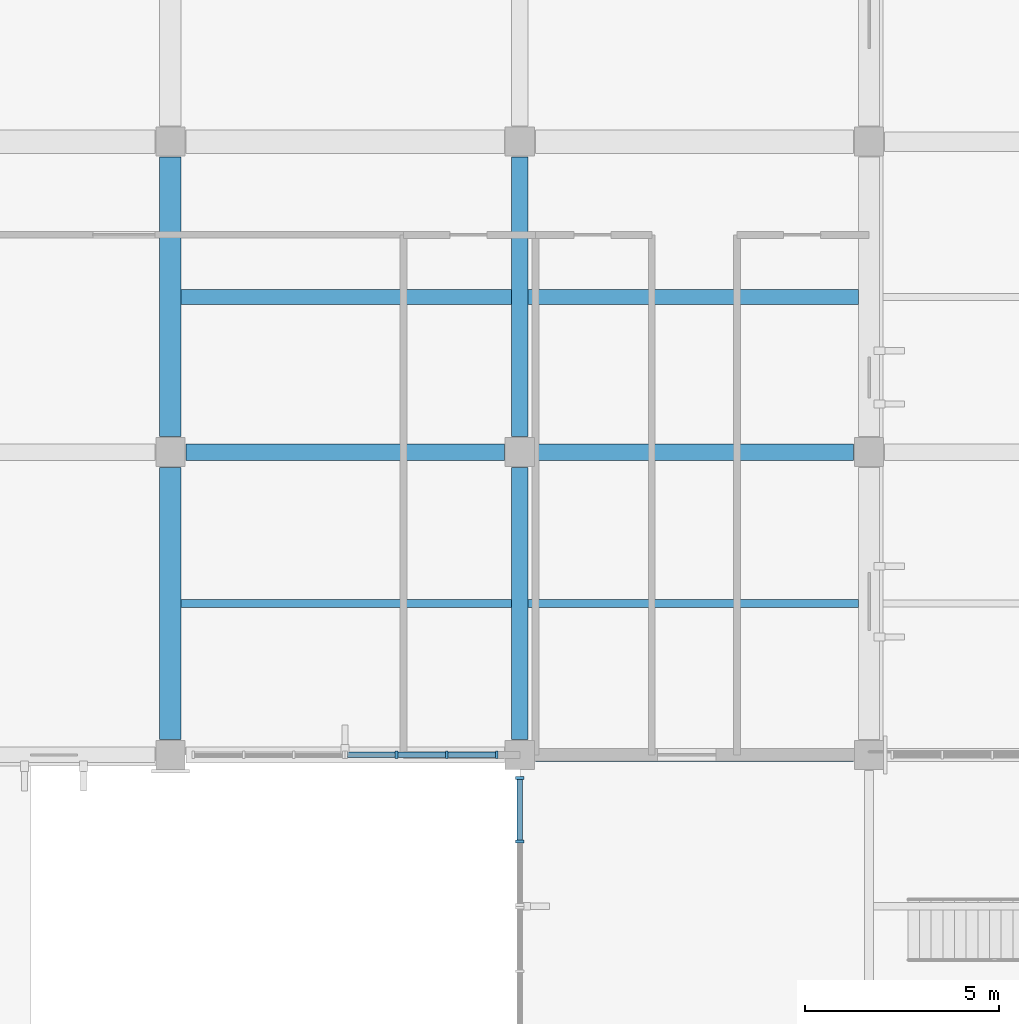
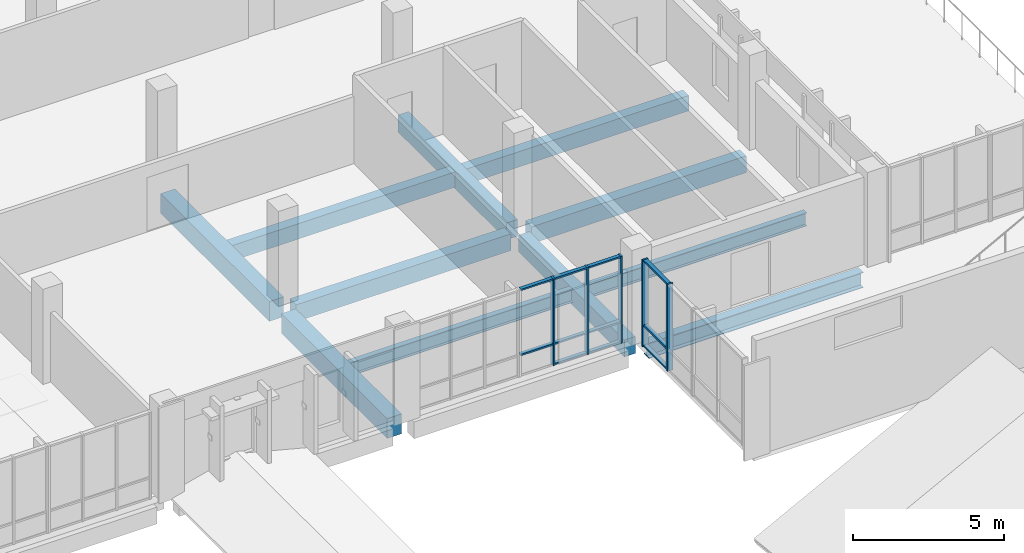
# One storey, part 22 of 64: 16 members, 11 beams, 2 elements without a shape of their own.
"""IFC4 building model written with IfcOpenShell, lengths in metres."""

from ifc_helpers import new_model, si_unit, direction, frame, origin, origin_2d, place, context, subcontext, project, spatial, rectangle, i_section, extrude, material, material_profile, profile_set, type_object, element, aggregate, save


model = new_model("IFC4")

# Units and contexts
model_context = context("Model", 3, precision=1e-05, world=origin(), true_north=direction((0.0, 1.0)))
body_context = subcontext(model_context, "Body", "Model", "MODEL_VIEW")
ifc_project = project(units=[si_unit("LENGTHUNIT", "METRE"), si_unit("AREAUNIT", "SQUARE_METRE"), si_unit("VOLUMEUNIT", "CUBIC_METRE"), si_unit("PLANEANGLEUNIT", "RADIAN"), si_unit("MASSUNIT", "GRAM", prefix="KILO")], contexts=[model_context])

# Site, building, storey
site_placement = place(None, origin())
site = spatial("IfcSite", under=ifc_project, at=site_placement, CompositionType="ELEMENT")
building_placement = place(site_placement, origin())
building = spatial("IfcBuilding", under=site, at=building_placement, Name="Vervanel Yard Central Library", CompositionType="ELEMENT")
storey_placement = place(building_placement, frame((0.0, 0.0, 8.93994140625)))
storey = spatial("IfcBuildingStorey", under=building, at=storey_placement, Name="L02", CompositionType="ELEMENT", Elevation=8.93994140625)

# Beams
ifc_material_1 = material(Name="Concrete C40/50", Category="concrete")
ifc_material_profile_1 = material_profile(ifc_material_1, rectangle(XDim=0.419921875, YDim=0.679931640625, at=origin_2d()), Name="RC 420x680", Category="concrete")
ifc_profile_set_1 = profile_set([ifc_material_profile_1], Name="Concrete C40/50")
beam_type_1 = type_object("IfcBeamType", Name="Concrete Perimeter Spandrel 420x680", PredefinedType="SPANDREL", material=ifc_profile_set_1)
for number, where, z_axis, x_axis, name in (
    (1, (81.39990234375, 90.0, -0.64501953125), (1.0, 0.0, 0.0), (0.0, 1.0, 0.0), "L02 Girder SP-04 Y=90.0 X=81.0-90.0"),
    (2, (90.39990234375, 90.0, -0.64501953125), (1.0, 0.0, 0.0), (0.0, 1.0, 0.0), "L02 Girder SP-04 Y=90.0 X=90.0-99.0"),
):
    element("IfcBeam", number, at=place(storey_placement, frame(where, z_axis=z_axis, x_axis=x_axis)), inside=storey, type_object=beam_type_1, Name=name, PredefinedType="SPANDREL", context=body_context, shape_type="SweptSolid", body=[
        extrude(rectangle(XDim=0.419921875, YDim=0.679931640625, at=origin_2d()), origin(), (0.0, 0.0, 1.0), 8.2001953125),
    ])
beam_1_placement = place(storey_placement, frame((90.0, 82.60009765625, -0.64501953125), z_axis=(0.0, 1.0, 0.0), x_axis=(-1.0, 0.0, 0.0)))
element("IfcBeam", 3, at=beam_1_placement, inside=storey, type_object=beam_type_1, Name="L02 Girder SP-04 X=90.0 Y=82.2-90.0", PredefinedType="SPANDREL", context=body_context, shape_type="SweptSolid", body=[
    extrude(rectangle(XDim=0.419921875, YDim=0.679931640625, at=origin_2d()), origin(), (0.0, 0.0, 1.0), 7.0),
])
beam_2_placement = place(storey_placement, frame((90.0, 90.39990234375, -0.64501953125), z_axis=(0.0, 1.0, 0.0), x_axis=(-1.0, 0.0, 0.0)))
element("IfcBeam", 4, at=beam_2_placement, inside=storey, type_object=beam_type_1, Name="L02 Girder SP-04 X=90.0 Y=90.0-98.0", PredefinedType="SPANDREL", context=body_context, shape_type="SweptSolid", body=[
    extrude(rectangle(XDim=0.419921875, YDim=0.679931640625, at=origin_2d()), origin(), (0.0, 0.0, 1.0), 7.2001953125),
])
ifc_material_profile_2 = material_profile(ifc_material_1, rectangle(XDim=0.550048828125, YDim=0.800048828125, at=origin_2d()), Name="RC 550x800", Category="concrete")
ifc_profile_set_2 = profile_set([ifc_material_profile_2], Name="Concrete C40/50")
beam_type_2 = type_object("IfcBeamType", Name="Concrete Primary Girder 550x800", PredefinedType="BEAM", material=ifc_profile_set_2)
beam_3_placement = place(storey_placement, frame((81.0, 82.60009765625, -0.704833984375), z_axis=(0.0, 1.0, 0.0), x_axis=(-1.0, 0.0, 0.0)))
element("IfcBeam", 5, at=beam_3_placement, inside=storey, type_object=beam_type_2, Name="L02 Girder CB-02 X=81.0 Y=82.2-90.0", PredefinedType="BEAM", context=body_context, shape_type="SweptSolid", body=[
    extrude(rectangle(XDim=0.550048828125, YDim=0.800048828125, at=origin_2d()), origin(), (0.0, 0.0, 1.0), 7.0),
])
beam_4_placement = place(storey_placement, frame((81.0, 90.39990234375, -0.704833984375), z_axis=(0.0, 1.0, 0.0), x_axis=(-1.0, 0.0, 0.0)))
element("IfcBeam", 6, at=beam_4_placement, inside=storey, type_object=beam_type_2, Name="L02 Girder CB-02 X=81.0 Y=90.0-98.0", PredefinedType="BEAM", context=body_context, shape_type="SweptSolid", body=[
    extrude(rectangle(XDim=0.550048828125, YDim=0.800048828125, at=origin_2d()), origin(), (0.0, 0.0, 1.0), 7.2001953125),
])
ifc_material_profile_3 = material_profile(ifc_material_1, rectangle(XDim=0.3798828125, YDim=0.6201171875, at=origin_2d()), Name="RC 380x620", Category="concrete")
ifc_profile_set_3 = profile_set([ifc_material_profile_3], Name="Concrete C40/50")
beam_type_3 = type_object("IfcBeamType", Name="Concrete Secondary Joist 380x620", PredefinedType="JOIST", material=ifc_profile_set_3)
for number, where, z_axis, x_axis, name in (
    (7, (81.27490234375, 94.0, -0.614990234375), (1.0, 0.0, 0.0), (0.0, 1.0, 0.0), "L02 Floor Joist CJ-05 Y=94.00 X=81.0-90.0"),
    (8, (90.2099609375, 94.0, -0.655029296875), (1.0, 0.0, 0.0), (0.0, 1.0, 0.0), "L02 Floor Joist CJ-05 Y=94.00 X=90.0-99.0"),
):
    element("IfcBeam", number, at=place(storey_placement, frame(where, z_axis=z_axis, x_axis=x_axis)), inside=storey, type_object=beam_type_3, Name=name, PredefinedType="JOIST", context=body_context, shape_type="SweptSolid", body=[
        extrude(rectangle(XDim=0.3798828125, YDim=0.6201171875, at=origin_2d()), origin(), (0.0, 0.0, 1.0), 8.51513671875),
    ])

# Curtain wall, members
ifc_material_2 = material(Name="Thermally broken anodized aluminium 6063-T6", Category="aluminium")
curtain_wall_type_1 = type_object("IfcCurtainWallType", Name="Atrium Courtyard Curtain Wall", PredefinedType="NOTDEFINED", material=ifc_material_2)
curtain_wall_1_placement = place(storey_placement, origin())
curtain_wall_1 = element("IfcCurtainWall", 9, at=curtain_wall_1_placement, inside=storey, type_object=curtain_wall_type_1, Name="L02 Atrium Courtyard Curtain Wall CWR-L02-012", PredefinedType="NOTDEFINED")
ifc_material_profile_4 = material_profile(ifc_material_2, rectangle(XDim=0.06494140625, YDim=0.18994140625, at=origin_2d()), Name="ALU 65x190", Category="aluminium")
ifc_profile_set_4 = profile_set([ifc_material_profile_4], Name="Thermally broken anodized aluminium 6063-T6")
member_type_1 = type_object("IfcMemberType", Name="Curtain Wall Primary Mullion 65x190", PredefinedType="MULLION", material=ifc_profile_set_4)
member_1_placement = place(storey_placement, frame((86.82421875, 82.199951171875, 0.0), z_axis=(0.0, 0.0, 1.0), x_axis=(1.0, 0.0, 0.0)))
member_1 = element("IfcMember", 10, at=member_1_placement, type_object=member_type_1, Name="CWR-L02-012 Mullion 2", PredefinedType="MULLION", context=body_context, shape_type="SweptSolid", body=[
    extrude(rectangle(XDim=0.06494140625, YDim=0.18994140625, at=origin_2d()), origin(), (0.0, 0.0, 1.0), 3.510009765625),
])
member_2_placement = place(storey_placement, frame((88.11572265625, 82.199951171875, 0.0), z_axis=(0.0, 0.0, 1.0), x_axis=(1.0, 0.0, 0.0)))
member_2 = element("IfcMember", 11, at=member_2_placement, type_object=member_type_1, Name="CWR-L02-012 Mullion 3", PredefinedType="MULLION", context=body_context, shape_type="SweptSolid", body=[
    extrude(rectangle(XDim=0.06494140625, YDim=0.18994140625, at=origin_2d()), origin(), (0.0, 0.0, 1.0), 3.510009765625),
])
member_3_placement = place(storey_placement, frame((89.407470703125, 82.199951171875, 0.0), z_axis=(0.0, 0.0, 1.0), x_axis=(1.0, 0.0, 0.0)))
member_3 = element("IfcMember", 12, at=member_3_placement, type_object=member_type_1, Name="CWR-L02-012 Mullion 4", PredefinedType="MULLION", context=body_context, shape_type="SweptSolid", body=[
    extrude(rectangle(XDim=0.06494140625, YDim=0.18994140625, at=origin_2d()), origin(), (0.0, 0.0, 1.0), 3.510009765625),
])
ifc_material_profile_5 = material_profile(ifc_material_2, rectangle(XDim=0.06494140625, YDim=0.139892578125, at=origin_2d()), Name="ALU 65x140", Category="aluminium")
ifc_profile_set_5 = profile_set([ifc_material_profile_5], Name="Thermally broken anodized aluminium 6063-T6")
member_type_2 = type_object("IfcMemberType", Name="Curtain Wall Transom 65x140", PredefinedType="NOTDEFINED", material=ifc_profile_set_5)
member_4_placement = place(storey_placement, frame((85.56494140625, 82.199951171875, 0.85009765625), z_axis=(1.0, 0.0, 0.0), x_axis=(0.0, 0.0, 1.0)))
member_4 = element("IfcMember", 13, at=member_4_placement, type_object=member_type_2, Name="CWR-L02-012 Transom B1-T2", ObjectType="TRANSOM", PredefinedType="USERDEFINED", context=body_context, shape_type="SweptSolid", body=[
    extrude(rectangle(XDim=0.06494140625, YDim=0.139892578125, at=origin_2d()), origin(), (0.0, 0.0, 1.0), 1.226806640625),
])
member_5_placement = place(storey_placement, frame((85.56494140625, 82.199951171875, 3.4775390625), z_axis=(1.0, 0.0, 0.0), x_axis=(0.0, 0.0, 1.0)))
member_5 = element("IfcMember", 14, at=member_5_placement, type_object=member_type_2, Name="CWR-L02-012 Transom B1-T3", ObjectType="TRANSOM", PredefinedType="USERDEFINED", context=body_context, shape_type="SweptSolid", body=[
    extrude(rectangle(XDim=0.06494140625, YDim=0.139892578125, at=origin_2d()), origin(), (0.0, 0.0, 1.0), 1.226806640625),
])
member_6_placement = place(storey_placement, frame((86.856689453125, 82.199951171875, 0.032470703125), z_axis=(1.0, 0.0, 0.0), x_axis=(0.0, 0.0, 1.0)))
member_6 = element("IfcMember", 15, at=member_6_placement, type_object=member_type_2, Name="CWR-L02-012 Transom B2-T1", ObjectType="TRANSOM", PredefinedType="USERDEFINED", context=body_context, shape_type="SweptSolid", body=[
    extrude(rectangle(XDim=0.06494140625, YDim=0.139892578125, at=origin_2d()), origin(), (0.0, 0.0, 1.0), 1.2265625),
])
member_7_placement = place(storey_placement, frame((86.856689453125, 82.199951171875, 0.85009765625), z_axis=(1.0, 0.0, 0.0), x_axis=(0.0, 0.0, 1.0)))
member_7 = element("IfcMember", 16, at=member_7_placement, type_object=member_type_2, Name="CWR-L02-012 Transom B2-T2", ObjectType="TRANSOM", PredefinedType="USERDEFINED", context=body_context, shape_type="SweptSolid", body=[
    extrude(rectangle(XDim=0.06494140625, YDim=0.139892578125, at=origin_2d()), origin(), (0.0, 0.0, 1.0), 1.2265625),
])
member_8_placement = place(storey_placement, frame((86.856689453125, 82.199951171875, 3.4775390625), z_axis=(1.0, 0.0, 0.0), x_axis=(0.0, 0.0, 1.0)))
member_8 = element("IfcMember", 17, at=member_8_placement, type_object=member_type_2, Name="CWR-L02-012 Transom B2-T3", ObjectType="TRANSOM", PredefinedType="USERDEFINED", context=body_context, shape_type="SweptSolid", body=[
    extrude(rectangle(XDim=0.06494140625, YDim=0.139892578125, at=origin_2d()), origin(), (0.0, 0.0, 1.0), 1.2265625),
])
member_9_placement = place(storey_placement, frame((88.1484375, 82.199951171875, 0.032470703125), z_axis=(1.0, 0.0, 0.0), x_axis=(0.0, 0.0, 1.0)))
member_9 = element("IfcMember", 18, at=member_9_placement, type_object=member_type_2, Name="CWR-L02-012 Transom B3-T1", ObjectType="TRANSOM", PredefinedType="USERDEFINED", context=body_context, shape_type="SweptSolid", body=[
    extrude(rectangle(XDim=0.06494140625, YDim=0.139892578125, at=origin_2d()), origin(), (0.0, 0.0, 1.0), 1.2265625),
])
member_10_placement = place(storey_placement, frame((88.1484375, 82.199951171875, 0.85009765625), z_axis=(1.0, 0.0, 0.0), x_axis=(0.0, 0.0, 1.0)))
member_10 = element("IfcMember", 19, at=member_10_placement, type_object=member_type_2, Name="CWR-L02-012 Transom B3-T2", ObjectType="TRANSOM", PredefinedType="USERDEFINED", context=body_context, shape_type="SweptSolid", body=[
    extrude(rectangle(XDim=0.06494140625, YDim=0.139892578125, at=origin_2d()), origin(), (0.0, 0.0, 1.0), 1.2265625),
])
member_11_placement = place(storey_placement, frame((88.1484375, 82.199951171875, 3.4775390625), z_axis=(1.0, 0.0, 0.0), x_axis=(0.0, 0.0, 1.0)))
member_11 = element("IfcMember", 20, at=member_11_placement, type_object=member_type_2, Name="CWR-L02-012 Transom B3-T3", ObjectType="TRANSOM", PredefinedType="USERDEFINED", context=body_context, shape_type="SweptSolid", body=[
    extrude(rectangle(XDim=0.06494140625, YDim=0.139892578125, at=origin_2d()), origin(), (0.0, 0.0, 1.0), 1.2265625),
])
aggregate(curtain_wall_1, [member_1, member_2, member_3, member_4, member_5, member_6, member_7, member_8, member_9, member_10, member_11])

curtain_wall_type_2 = type_object("IfcCurtainWallType", Name="Reading Hall Full-Height Curtain Wall", PredefinedType="NOTDEFINED", material=ifc_material_2)
curtain_wall_2_placement = place(storey_placement, origin())
curtain_wall_2 = element("IfcCurtainWall", 21, at=curtain_wall_2_placement, inside=storey, type_object=curtain_wall_type_2, Name="L02 Reading Hall Full-Height Curtain Wall CWR-L02-053", PredefinedType="NOTDEFINED")
ifc_material_profile_6 = material_profile(ifc_material_2, rectangle(XDim=0.070068359375, YDim=0.219970703125, at=origin_2d()), Name="ALU 70x220", Category="aluminium")
ifc_profile_set_6 = profile_set([ifc_material_profile_6], Name="Thermally broken anodized aluminium 6063-T6")
member_type_3 = type_object("IfcMemberType", Name="Reading Hall Deep Mullion 70x220", PredefinedType="MULLION", material=ifc_profile_set_6)
member_12_placement = place(storey_placement, frame((90.0, 79.969970703125, 0.0), z_axis=(0.0, 0.0, 1.0), x_axis=(0.0, 1.0, 0.0)))
member_12 = element("IfcMember", 22, at=member_12_placement, type_object=member_type_3, Name="CWR-L02-053 Mullion 2", PredefinedType="MULLION", context=body_context, shape_type="SweptSolid", body=[
    extrude(rectangle(XDim=0.070068359375, YDim=0.219970703125, at=origin_2d()), origin(), (0.0, 0.0, 1.0), 3.510009765625),
])
member_13_placement = place(storey_placement, frame((90.0, 81.60498046875, 0.0), z_axis=(0.0, 0.0, 1.0), x_axis=(0.0, 1.0, 0.0)))
member_13 = element("IfcMember", 23, at=member_13_placement, type_object=member_type_3, Name="CWR-L02-053 Mullion 3", PredefinedType="MULLION", context=body_context, shape_type="SweptSolid", body=[
    extrude(rectangle(XDim=0.070068359375, YDim=0.219970703125, at=origin_2d()), origin(), (0.0, 0.0, 1.0), 3.510009765625),
])
ifc_material_profile_7 = material_profile(ifc_material_2, rectangle(XDim=0.070068359375, YDim=0.14990234375, at=origin_2d()), Name="ALU 70x150", Category="aluminium")
ifc_profile_set_7 = profile_set([ifc_material_profile_7], Name="Thermally broken anodized aluminium 6063-T6")
member_type_4 = type_object("IfcMemberType", Name="Reading Hall Deep Transom 70x150", PredefinedType="NOTDEFINED", material=ifc_profile_set_7)
member_14_placement = place(storey_placement, frame((90.0, 80.0048828125, 0.03515625), z_axis=(0.0, 1.0, 0.0), x_axis=(0.0, 0.0, 1.0)))
member_14 = element("IfcMember", 24, at=member_14_placement, type_object=member_type_4, Name="CWR-L02-053 Transom B2-T1", ObjectType="TRANSOM", PredefinedType="USERDEFINED", context=body_context, shape_type="SweptSolid", body=[
    extrude(rectangle(XDim=0.070068359375, YDim=0.14990234375, at=origin_2d()), origin(), (0.0, 0.0, 1.0), 1.565185546875),
])
member_15_placement = place(storey_placement, frame((90.0, 80.0048828125, 0.85009765625), z_axis=(0.0, 1.0, 0.0), x_axis=(0.0, 0.0, 1.0)))
member_15 = element("IfcMember", 25, at=member_15_placement, type_object=member_type_4, Name="CWR-L02-053 Transom B2-T2", ObjectType="TRANSOM", PredefinedType="USERDEFINED", context=body_context, shape_type="SweptSolid", body=[
    extrude(rectangle(XDim=0.070068359375, YDim=0.14990234375, at=origin_2d()), origin(), (0.0, 0.0, 1.0), 1.565185546875),
])
member_16_placement = place(storey_placement, frame((90.0, 80.0048828125, 3.47509765625), z_axis=(0.0, 1.0, 0.0), x_axis=(0.0, 0.0, 1.0)))
member_16 = element("IfcMember", 26, at=member_16_placement, type_object=member_type_4, Name="CWR-L02-053 Transom B2-T3", ObjectType="TRANSOM", PredefinedType="USERDEFINED", context=body_context, shape_type="SweptSolid", body=[
    extrude(rectangle(XDim=0.070068359375, YDim=0.14990234375, at=origin_2d()), origin(), (0.0, 0.0, 1.0), 1.565185546875),
])
aggregate(curtain_wall_2, [member_12, member_13, member_14, member_15, member_16])

# Beams
ifc_material_3 = material(Name="Steel ASTM A992 Grade 50", Category="steel")
ifc_material_profile_8 = material_profile(ifc_material_3, i_section(OverallWidth=0.32763671875, OverallDepth=0.622314453125, WebThickness=0.015380859375, FlangeThickness=0.0244140625, at=origin_2d()), Name="W24X131", Category="steel")
ifc_profile_set_8 = profile_set([ifc_material_profile_8], Name="Steel ASTM A992 Grade 50")
beam_type_4 = type_object("IfcBeamType", Name="Steel Primary Girder W24X131", PredefinedType="BEAM", material=ifc_profile_set_8)
beam_5_placement = place(storey_placement, frame((90.39990234375, 82.199951171875, -0.6162109375), z_axis=(1.0, 0.0, 0.0), x_axis=(0.0, 1.0, 0.0)))
element("IfcBeam", 27, at=beam_5_placement, inside=storey, type_object=beam_type_4, Name="L02 Girder SB-02 Y=82.2 X=90.0-99.0", PredefinedType="BEAM", context=body_context, shape_type="SweptSolid", body=[
    extrude(i_section(OverallWidth=0.32763671875, OverallDepth=0.622314453125, WebThickness=0.015380859375, FlangeThickness=0.0244140625, at=origin_2d()), origin(), (0.0, 0.0, 1.0), 8.2001953125),
])
ifc_material_profile_9 = material_profile(ifc_material_3, i_section(OverallWidth=0.2099609375, OverallDepth=0.535888671875, WebThickness=0.010986328125, FlangeThickness=0.017333984375, at=origin_2d()), Name="W21X68", Category="steel")
ifc_profile_set_9 = profile_set([ifc_material_profile_9], Name="Steel ASTM A992 Grade 50")
beam_type_5 = type_object("IfcBeamType", Name="Steel Stack Floor Joist W21X68", PredefinedType="JOIST", material=ifc_profile_set_9)
for number, where, z_axis, x_axis, name in (
    (28, (81.27490234375, 86.10009765625, -0.572998046875), (1.0, 0.0, 0.0), (0.0, 1.0, 0.0), "L02 Floor Joist SJ-04 Y=86.10 X=81.0-90.0"),
    (29, (90.2099609375, 86.10009765625, -0.61279296875), (1.0, 0.0, 0.0), (0.0, 1.0, 0.0), "L02 Floor Joist SJ-04 Y=86.10 X=90.0-99.0"),
):
    element("IfcBeam", number, at=place(storey_placement, frame(where, z_axis=z_axis, x_axis=x_axis)), inside=storey, type_object=beam_type_5, Name=name, PredefinedType="JOIST", context=body_context, shape_type="SweptSolid", body=[
        extrude(i_section(OverallWidth=0.2099609375, OverallDepth=0.535888671875, WebThickness=0.010986328125, FlangeThickness=0.017333984375, at=origin_2d()), origin(), (0.0, 0.0, 1.0), 8.51513671875),
    ])

save(model, "model.ifc")
